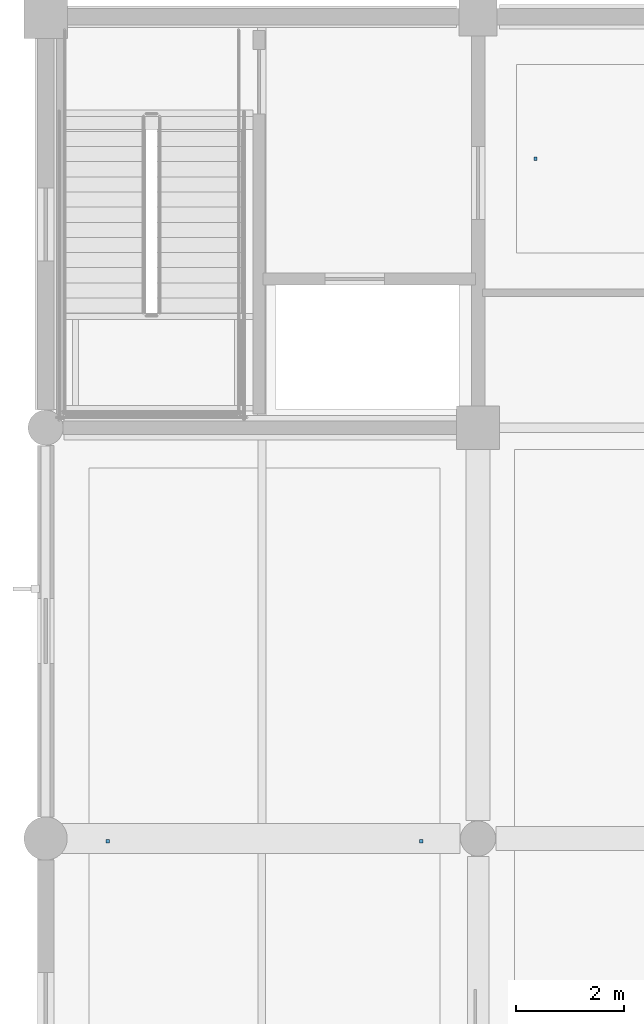
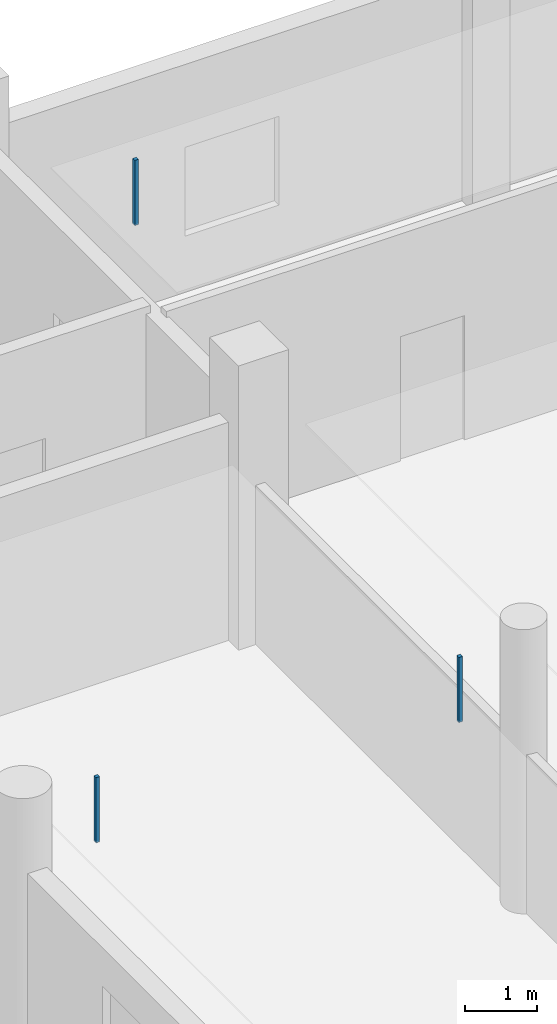
# One storey, part 109 of 147: 3 discrete accessories.
"""IFC4 building model written with IfcOpenShell, lengths in metres."""

import ifcopenshell
import ifcopenshell.guid

model = None  # the IFC model being written
_history = None  # IfcOwnerHistory: only IFC2X3 demands one
_inside = {}  # id of a spatial element -> (the spatial element, [elements in it])
_under = {}  # id of a project, library or spatial element -> (it, [spatial elements below it])
_declared = {}  # id of a project -> (the project, [libraries it declares])
_typed = {}  # id of a type object -> (the type object, [elements of that type])
_made_of = {}  # id of a material, layer set ... -> (it, [elements and type objects made of it])


def new_model(schema):
    """Start an empty IFC model of exactly this schema.

    Asked for "IFC4X3", IfcOpenShell would pick the latest addendum, in which some entities
    have other attributes; the version numbers below select the first issue.
    IFC2X3 requires an IfcOwnerHistory on every rooted entity: one is made here for all.
    """
    global model, _history
    if schema == "IFC4X3":
        model = ifcopenshell.file(schema_version=(4, 3, 0, 0))
    else:
        model = ifcopenshell.file(schema=schema)
    _inside.clear()
    _under.clear()
    _declared.clear()
    _typed.clear()
    _made_of.clear()
    _history = None
    if model.schema == "IFC2X3":
        org = make("IfcOrganization", Name="unknown")
        user = make(
            "IfcPersonAndOrganization",
            ThePerson=make("IfcPerson", FamilyName="unknown"),
            TheOrganization=org,
        )
        app = make(
            "IfcApplication",
            ApplicationDeveloper=org,
            Version="unknown",
            ApplicationFullName="unknown",
            ApplicationIdentifier="unknown",
        )
        _history = make(
            "IfcOwnerHistory",
            OwningUser=user,
            OwningApplication=app,
            ChangeAction="ADDED",
            CreationDate=0,
        )
    return model


def make(cls, **values):
    """One entity of the class cls with the attributes given. An attribute that is None is left unset."""
    return model.create_entity(
        cls, **{name: value for name, value in values.items() if value is not None}
    )


def rooted(cls, **values):
    """An entity with a GlobalId (a new one), such as an element, a storey or a relation."""
    return make(cls, GlobalId=ifcopenshell.guid.new(), OwnerHistory=_history, **values)


def si_unit(unit_type, name, prefix=None):
    """IfcSIUnit, for example si_unit("LENGTHUNIT", "METRE", prefix="MILLI")."""
    return make("IfcSIUnit", UnitType=unit_type, Prefix=prefix, Name=name)


def assignment(units):
    """IfcUnitAssignment: the units of a project."""
    return None if units is None else make("IfcUnitAssignment", Units=units)


def point(xyz):
    """IfcCartesianPoint."""
    return None if xyz is None else make("IfcCartesianPoint", Coordinates=xyz)


def direction(xyz):
    """IfcDirection."""
    return None if xyz is None else make("IfcDirection", DirectionRatios=xyz)


def frame(location, z_axis=None, x_axis=None):
    """IfcAxis2Placement3D, a coordinate frame: its origin and axes. An axis left out is left unset."""
    return make(
        "IfcAxis2Placement3D",
        Location=point(location),
        Axis=direction(z_axis),
        RefDirection=direction(x_axis),
    )


def frame_2d(location, x_axis=None):
    """IfcAxis2Placement2D, a coordinate frame in the plane: its origin and x axis."""
    return make(
        "IfcAxis2Placement2D", Location=point(location), RefDirection=direction(x_axis)
    )


def origin():
    """The frame at (0, 0, 0) with its axes left unset."""
    return frame((0.0, 0.0, 0.0))


def origin_2d():
    """The frame at (0, 0) in the plane with its x axis left unset."""
    return frame_2d((0.0, 0.0))


def place(relative_to, where):
    """IfcLocalPlacement: puts the frame where relative to a parent placement (None: the world)."""
    return make(
        "IfcLocalPlacement", PlacementRelTo=relative_to, RelativePlacement=where
    )


def context(
    kind, dimensions, precision=None, world=None, true_north=None, identifier=None
):
    """IfcGeometricRepresentationContext, for example the 3D "Model" context."""
    return make(
        "IfcGeometricRepresentationContext",
        ContextIdentifier=identifier,
        ContextType=kind,
        CoordinateSpaceDimension=dimensions,
        Precision=precision,
        WorldCoordinateSystem=world,
        TrueNorth=true_north,
    )


def subcontext(parent, identifier, kind, view, scale=None):
    """IfcGeometricRepresentationSubContext, for example "Body" below "Model"."""
    return make(
        "IfcGeometricRepresentationSubContext",
        ContextIdentifier=identifier,
        ContextType=kind,
        ParentContext=parent,
        TargetScale=scale,
        TargetView=view,
    )


def project(units=None, contexts=None):
    """IfcProject with its units and contexts."""
    return rooted(
        "IfcProject",
        Name="project",
        RepresentationContexts=contexts,
        UnitsInContext=assignment(units),
    )


def spatial(cls, under=None, at=None, **own):
    """A site, building, storey or space (cls), placed at a placement, below another one or the project."""
    s = rooted(cls, ObjectPlacement=at, **own)
    if under is not None:
        _under.setdefault(under.id(), (under, []))[1].append(s)
    return s


def profile(cls, at=None, kind="AREA", **sizes):
    """A parametric profile (cls). Its sizes go by their IFC names, for example OverallWidth=200.0."""
    return make(cls, ProfileType=kind, Position=at, **sizes)


def rectangle(**sizes):
    """IfcRectangleProfileDef."""
    return profile("IfcRectangleProfileDef", **sizes)


def extrude(swept, where, along, depth):
    """IfcExtrudedAreaSolid: the profile swept, set in the frame where, extruded along a direction by depth."""
    return make(
        "IfcExtrudedAreaSolid",
        SweptArea=swept,
        Position=where,
        ExtrudedDirection=direction(along),
        Depth=depth,
    )


def shape(context_of_items, identifier, shape_type, items):
    """IfcShapeRepresentation: the items that make up one representation, for example the "Body"."""
    return make(
        "IfcShapeRepresentation",
        ContextOfItems=context_of_items,
        RepresentationIdentifier=identifier,
        RepresentationType=shape_type,
        Items=items,
    )


def material(Name=None, Category=None):
    """IfcMaterial."""
    return make("IfcMaterial", Name=Name, Category=Category)


def made_of(thing, what):
    """Note that an element or type object is made of a material, layer set ...; save() writes the relation."""
    if what is not None:
        _made_of.setdefault(what.id(), (what, []))[1].append(thing)
    return thing


def type_object(cls, material=None, **own):
    """A type object (cls), such as IfcWallType, which elements share."""
    return made_of(rooted(cls, **own), material)


def element(
    cls,
    number,
    at=None,
    inside=None,
    cuts=None,
    type_object=None,
    material=None,
    context=None,
    identifier="Body",
    shape_type=None,
    held_by="IfcProductDefinitionShape",
    body=None,
    shapes=None,
    **own,
):
    """One element of the class cls, such as IfcWall. Its Tag is "e" and its number.

    at: its placement. inside: the storey or other place that contains it. cuts: it is an
    opening in that element (IfcRelVoidsElement). A single representation is given by context,
    identifier, shape_type and body (its items); several are given by shapes. held_by: the class
    of the entity that holds the representations. save() writes the other relations.
    """
    e = rooted(cls, Tag="e%d" % number, ObjectPlacement=at, **own)
    if body is not None:
        shapes = [shape(context, identifier, shape_type, body)]
    if shapes is not None:
        e.Representation = make(held_by, Representations=shapes)
    if inside is not None:
        _inside.setdefault(inside.id(), (inside, []))[1].append(e)
    if cuts is not None:
        rooted(
            "IfcRelVoidsElement", RelatingBuildingElement=cuts, RelatedOpeningElement=e
        )
    if type_object is not None:
        _typed.setdefault(type_object.id(), (type_object, []))[1].append(e)
    return made_of(e, material)


def aggregate(whole, parts):
    """IfcRelAggregates: a whole, such as a stair, and the parts it consists of."""
    return rooted("IfcRelAggregates", RelatingObject=whole, RelatedObjects=parts)


def save(model, path):
    """Write the relations noted so far, then the file.

    IfcRelAggregates (storeys below a building ...), IfcRelContainedInSpatialStructure (elements
    in a storey), IfcRelDefinesByType, IfcRelAssociatesMaterial and IfcRelDeclares: one each for
    every whole, place, type object, material and project.
    """
    for whole, parts in _under.values():
        aggregate(whole, parts)
    for where, things in _inside.values():
        rooted(
            "IfcRelContainedInSpatialStructure",
            RelatedElements=things,
            RelatingStructure=where,
        )
    for kind, things in _typed.values():
        rooted("IfcRelDefinesByType", RelatedObjects=things, RelatingType=kind)
    for what, things in _made_of.values():
        rooted("IfcRelAssociatesMaterial", RelatedObjects=things, RelatingMaterial=what)
    for by, libraries in _declared.values():
        rooted("IfcRelDeclares", RelatingContext=by, RelatedDefinitions=libraries)
    model.write(path)


model = new_model("IFC4")

# Units and contexts
model_context = context("Model", 3, precision=1e-05, world=origin(), true_north=direction((0.0, 1.0)))
body_context = subcontext(model_context, "Body", "Model", "MODEL_VIEW")
ifc_project = project(units=[si_unit("LENGTHUNIT", "METRE"), si_unit("AREAUNIT", "SQUARE_METRE"), si_unit("VOLUMEUNIT", "CUBIC_METRE"), si_unit("PLANEANGLEUNIT", "RADIAN"), si_unit("MASSUNIT", "GRAM", prefix="KILO")], contexts=[model_context])

# Site, building, storey
site_placement = place(None, origin())
site = spatial("IfcSite", under=ifc_project, at=site_placement, CompositionType="ELEMENT")
building_placement = place(site_placement, origin())
building = spatial("IfcBuilding", under=site, at=building_placement, Name="Khelvaren Railside Concert Hall", CompositionType="ELEMENT")
storey_placement = place(building_placement, frame((0.0, 0.0, 5.39990234375)))
storey = spatial("IfcBuildingStorey", under=building, at=storey_placement, Name="L01", CompositionType="ELEMENT", Elevation=5.39990234375)

# Discrete accessories
ifc_material = material(Name="Galvanised steel acoustic ceiling hanger rod", Category="steel")
discrete_accessory_type = type_object("IfcDiscreteAccessoryType", Name="BRK62", PredefinedType="BRACKET", material=ifc_material)
for number, where, z_axis, x_axis, name in (
    (1, (9.06005859375, 111.375, 3.429931640625), (0.0, 0.0, 1.0), (1.0, 0.0, 0.0), "Acoustic Ceiling Suspension Bracket 107-1"),
    (2, (1.14990234375, 98.75, 3.429931640625), (0.0, 0.0, 1.0), (1.0, 0.0, 0.0), "Acoustic Ceiling Suspension Bracket 111-1"),
    (3, (6.949951171875, 98.75, 3.429931640625), (0.0, 0.0, 1.0), (1.0, 0.0, 0.0), "Acoustic Ceiling Suspension Bracket 111-2"),
):
    element("IfcDiscreteAccessory", number, at=place(storey_placement, frame(where, z_axis=z_axis, x_axis=x_axis)), inside=storey, type_object=discrete_accessory_type, Name=name, PredefinedType="BRACKET", context=body_context, shape_type="SweptSolid", body=[
        extrude(rectangle(XDim=0.06005859375, YDim=0.06005859375, at=origin_2d()), origin(), (0.0, 0.0, 1.0), 1.10009765625),
    ])

save(model, "model.ifc")
